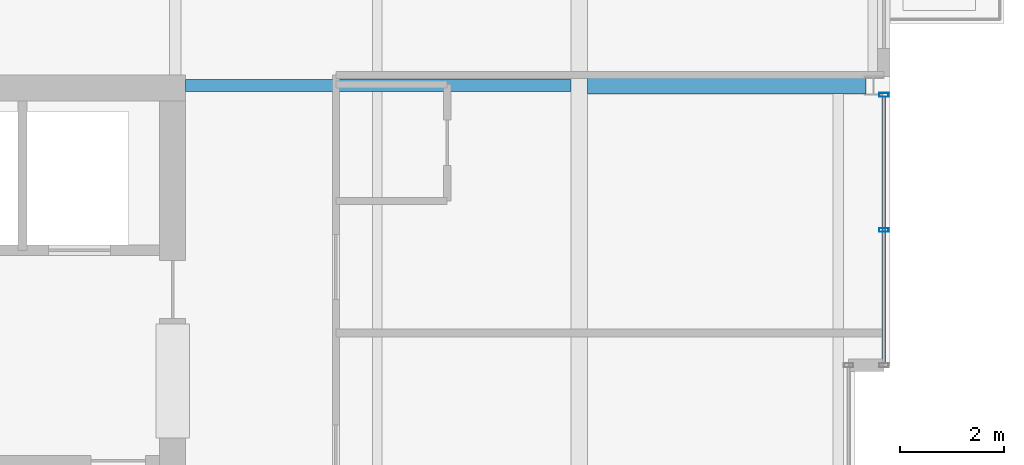
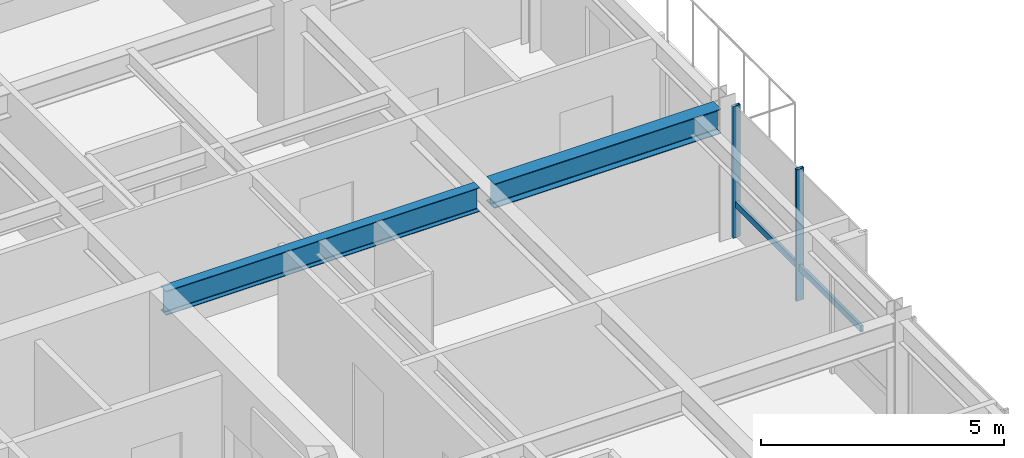
# One storey, part 24 of 34: 3 members, 2 beams, 1 element without a shape of its own.
"""IFC4 building model written with IfcOpenShell, lengths in metres."""

from ifc_helpers import new_model, si_unit, direction, frame, origin, origin_2d, place, context, subcontext, project, spatial, hollow_rectangle, i_section, extrude, material, layer, layer_set, material_profile, profile_set, type_object, element, aggregate, save


model = new_model("IFC4")

# Units and contexts
model_context = context("Model", 3, precision=1e-05, world=origin(), true_north=direction((0.0, 1.0)))
body_context = subcontext(model_context, "Body", "Model", "MODEL_VIEW")
ifc_project = project(units=[si_unit("LENGTHUNIT", "METRE"), si_unit("AREAUNIT", "SQUARE_METRE"), si_unit("VOLUMEUNIT", "CUBIC_METRE"), si_unit("PLANEANGLEUNIT", "RADIAN"), si_unit("MASSUNIT", "GRAM", prefix="KILO")], contexts=[model_context])

# Site, building, storey
site_placement = place(None, origin())
site = spatial("IfcSite", under=ifc_project, at=site_placement, CompositionType="ELEMENT")
building_placement = place(site_placement, origin())
building = spatial("IfcBuilding", under=site, at=building_placement, Name="Drelvath Grand Hotel", CompositionType="ELEMENT")
storey_placement = place(building_placement, frame((0.0, 0.0, 251.89990234375)))
storey = spatial("IfcBuildingStorey", under=building, at=storey_placement, Name="L66", CompositionType="ELEMENT", Elevation=251.89990234375)

# Curtain wall, members
ifc_material_1 = material(Name="Platinum-Mist Anodised Aluminium Frame", Category="aluminium")
ifc_layer = layer(ifc_material_1, 0.199951171875)
ifc_layer_set = layer_set([ifc_layer], Name="Platinum-Mist Anodised Aluminium Frame")
curtain_wall_type = type_object("IfcCurtainWallType", Name="Stick Curtain Wall CW-05 Platinum Mist High-Rise", PredefinedType="NOTDEFINED", material=ifc_layer_set)
curtain_wall_placement = place(storey_placement, origin())
curtain_wall = element("IfcCurtainWall", 1, at=curtain_wall_placement, inside=storey, type_object=curtain_wall_type, Name="L66 CW-05 Curtain Wall CW05-L66-EN1", PredefinedType="NOTDEFINED")
ifc_material_profile_1 = material_profile(ifc_material_1, hollow_rectangle(XDim=0.06494140625, YDim=0.159912109375, WallThickness=0.00390625, at=origin_2d()), Name="HSS160X65X4")
ifc_profile_set_1 = profile_set([ifc_material_profile_1], Name="Platinum-Mist Anodised Aluminium Frame")
member_type_1 = type_object("IfcMemberType", Name="Curtain Wall Horizontal Transom CW-05 HSS160X65X4", PredefinedType="USERDEFINED", material=ifc_profile_set_1)
member_1_placement = place(storey_placement, frame((22.080078125, 35.181884765625, 0.8251953125), z_axis=(0.0, -1.0, 0.0), x_axis=(1.0, 0.0, 0.0)))
member_1 = element("IfcMember", 2, at=member_1_placement, type_object=member_type_1, Name="CW05-L66-EN1 Sill Transom", ObjectType="TRANSOM", PredefinedType="USERDEFINED", context=body_context, shape_type="SweptSolid", body=[
    extrude(hollow_rectangle(XDim=0.06494140625, YDim=0.159912109375, WallThickness=0.00390625, at=origin_2d()), origin(), (0.0, 0.0, 1.0), 5.141845703125),
])
ifc_material_profile_2 = material_profile(ifc_material_1, hollow_rectangle(XDim=0.074951171875, YDim=0.179931640625, WallThickness=0.0048828125, at=origin_2d()), Name="HSS180X75X5")
ifc_profile_set_2 = profile_set([ifc_material_profile_2], Name="Platinum-Mist Anodised Aluminium Frame")
member_type_2 = type_object("IfcMemberType", Name="Curtain Wall Vertical Mullion CW-05 HSS180X75X5", PredefinedType="MULLION", material=ifc_profile_set_2)
member_2_placement = place(storey_placement, frame((22.080078125, 35.2216796875, 0.0), z_axis=(0.0, 0.0, 1.0), x_axis=(0.0, 1.0, 0.0)))
member_2 = element("IfcMember", 3, at=member_2_placement, type_object=member_type_2, Name="CW05-L66-EN1 Mullion 1", PredefinedType="MULLION", context=body_context, shape_type="SweptSolid", body=[
    extrude(hollow_rectangle(XDim=0.074951171875, YDim=0.179931640625, WallThickness=0.0048828125, at=origin_2d()), origin(), (0.0, 0.0, 1.0), 3.300048828125),
])
member_3_placement = place(storey_placement, frame((22.080078125, 32.61083984375, 0.0), z_axis=(0.0, 0.0, 1.0), x_axis=(0.0, 1.0, 0.0)))
member_3 = element("IfcMember", 4, at=member_3_placement, type_object=member_type_2, Name="CW05-L66-EN1 Mullion 2", PredefinedType="MULLION", context=body_context, shape_type="SweptSolid", body=[
    extrude(hollow_rectangle(XDim=0.074951171875, YDim=0.179931640625, WallThickness=0.0048828125, at=origin_2d()), origin(), (0.0, 0.0, 1.0), 3.300048828125),
])
aggregate(curtain_wall, [member_2, member_3, member_1])

# Beams
ifc_material_2 = material(Name="Steel ASTM A992 Gr 50", Category="steel")
ifc_material_profile_3 = material_profile(ifc_material_2, i_section(OverallWidth=0.323974609375, OverallDepth=0.611083984375, WebThickness=0.0126953125, FlangeThickness=0.01904296875, FilletRadius=0.02197265625, at=origin_2d()), Name="W24X104")
ifc_profile_set_3 = profile_set([ifc_material_profile_3], Name="Steel ASTM A992 Gr 50")
beam_type_1 = type_object("IfcBeamType", Name="Primary Floor Girder W24X104", PredefinedType="BEAM", material=ifc_profile_set_3)
beam_1_placement = place(storey_placement, frame((16.362060546875, 35.39990234375, 2.994384765625), z_axis=(1.0, 0.0, 0.0), x_axis=(0.0, 1.0, 0.0)))
element("IfcBeam", 5, at=beam_1_placement, inside=storey, type_object=beam_type_1, Name="L66 East Wing Girder F", PredefinedType="BEAM", context=body_context, shape_type="SweptSolid", body=[
    extrude(i_section(OverallWidth=0.323974609375, OverallDepth=0.611083984375, WebThickness=0.0126953125, FlangeThickness=0.01904296875, FilletRadius=0.02197265625, at=origin_2d()), origin(), (0.0, 0.0, 1.0), 5.3779296875),
])
ifc_material_profile_4 = material_profile(ifc_material_2, i_section(OverallWidth=0.228271484375, OverallDepth=0.607666015625, WebThickness=0.01123046875, FlangeThickness=0.017333984375, FilletRadius=0.02001953125, at=origin_2d()), Name="W24X76")
ifc_profile_set_4 = profile_set([ifc_material_profile_4], Name="Steel ASTM A992 Gr 50")
beam_type_2 = type_object("IfcBeamType", Name="Primary Floor Girder W24X76", PredefinedType="BEAM", material=ifc_profile_set_4)
beam_2_placement = place(storey_placement, frame((8.60009765625, 35.39990234375, 2.996337890625), z_axis=(1.0, 0.0, 0.0), x_axis=(0.0, 1.0, 0.0)))
element("IfcBeam", 6, at=beam_2_placement, inside=storey, type_object=beam_type_2, Name="L66 East Core Tie F", PredefinedType="BEAM", context=body_context, shape_type="SweptSolid", body=[
    extrude(i_section(OverallWidth=0.228271484375, OverallDepth=0.607666015625, WebThickness=0.01123046875, FlangeThickness=0.017333984375, FilletRadius=0.02001953125, at=origin_2d()), origin(), (0.0, 0.0, 1.0), 7.43798828125),
])

save(model, "model.ifc")
